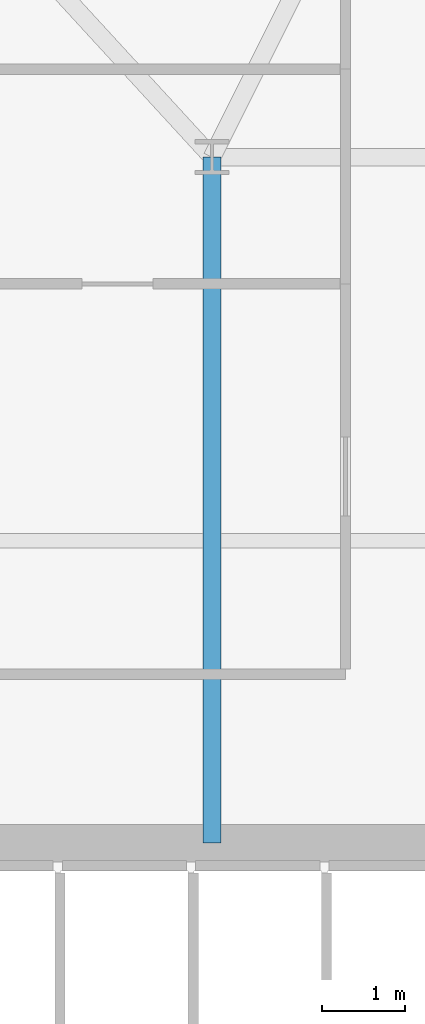
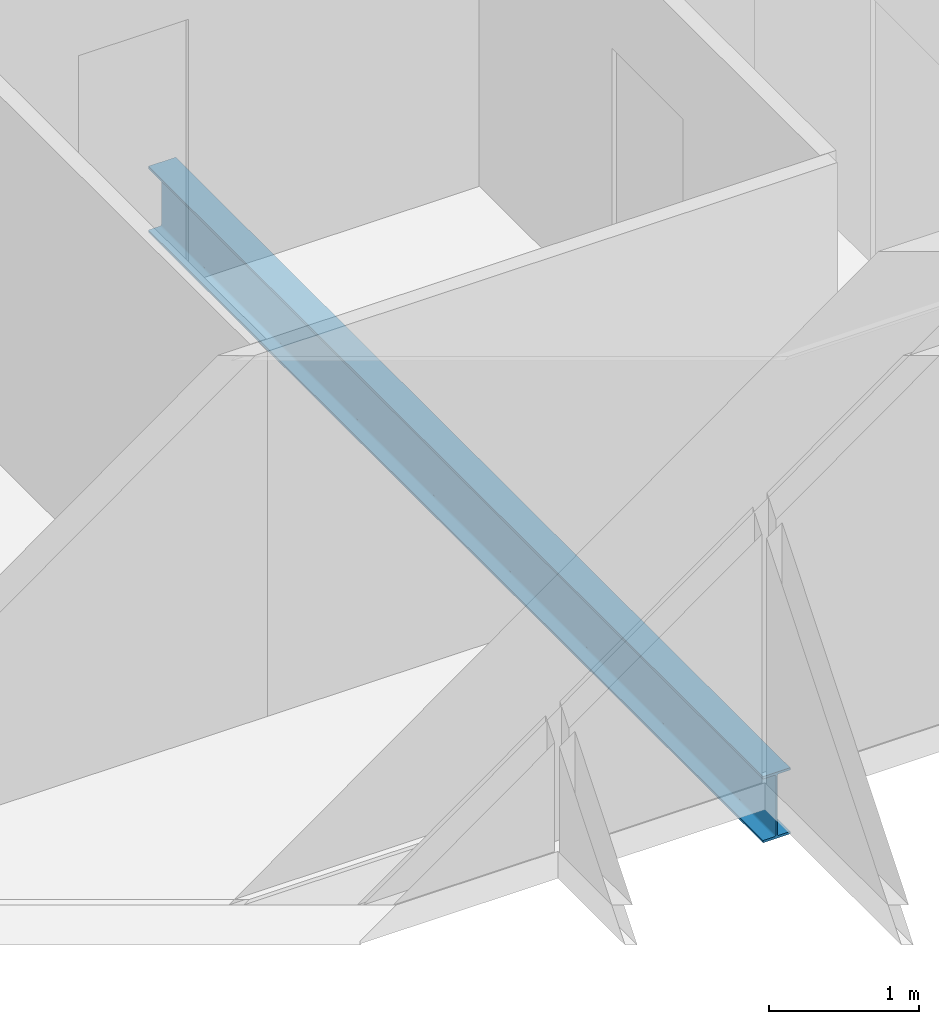
# One storey, part 6 of 33: 1 beam.
"""IFC4 building model written with IfcOpenShell, lengths in metres."""

from ifc_helpers import new_model, si_unit, direction, frame, origin, origin_2d, place, context, subcontext, project, spatial, i_section, extrude, material, material_profile, profile_set, type_object, element, save


model = new_model("IFC4")

# Units and contexts
model_context = context("Model", 3, precision=1e-05, world=origin(), true_north=direction((0.0, 1.0)))
body_context = subcontext(model_context, "Body", "Model", "MODEL_VIEW")
ifc_project = project(units=[si_unit("LENGTHUNIT", "METRE"), si_unit("AREAUNIT", "SQUARE_METRE"), si_unit("VOLUMEUNIT", "CUBIC_METRE"), si_unit("PLANEANGLEUNIT", "RADIAN"), si_unit("MASSUNIT", "GRAM", prefix="KILO")], contexts=[model_context])

# Site, building, storey
site_placement = place(None, origin())
site = spatial("IfcSite", under=ifc_project, at=site_placement, CompositionType="ELEMENT")
building_placement = place(site_placement, origin())
building = spatial("IfcBuilding", under=site, at=building_placement, Name="Ndaravel Arena Tower", CompositionType="ELEMENT")
storey_placement = place(building_placement, frame((0.0, 0.0, 149.800048828125)))
storey = spatial("IfcBuildingStorey", under=building, at=storey_placement, Name="L35", CompositionType="ELEMENT", Elevation=149.800048828125)

# Beam
ifc_material = material(Name="Steel S355", Category="steel")
ifc_material_profile = material_profile(ifc_material, i_section(OverallWidth=0.210693359375, OverallDepth=0.53955078125, WebThickness=0.01171875, FlangeThickness=0.018798828125, FilletRadius=0.0126953125, at=origin_2d()), Name="UB 533x210x109")
ifc_profile_set = profile_set([ifc_material_profile], Name="Steel S355")
beam_type = type_object("IfcBeamType", Name="BM-GIRD-UB533", PredefinedType="BEAM", material=ifc_profile_set)
beam_placement = place(storey_placement, frame((34.199951171875, 14.97998046875, -0.48974609375), z_axis=(0.0, 1.0, 0.0), x_axis=(-1.0, 0.0, 0.0)))
element("IfcBeam", 1, at=beam_placement, inside=storey, type_object=beam_type, Name="L35 Spine Link Girder SLG-01", PredefinedType="BEAM", context=body_context, shape_type="SweptSolid", body=[
    extrude(i_section(OverallWidth=0.210693359375, OverallDepth=0.53955078125, WebThickness=0.01171875, FlangeThickness=0.018798828125, FilletRadius=0.0126953125, at=origin_2d()), origin(), (0.0, 0.0, 1.0), 8.219970703125),
])

save(model, "model.ifc")
